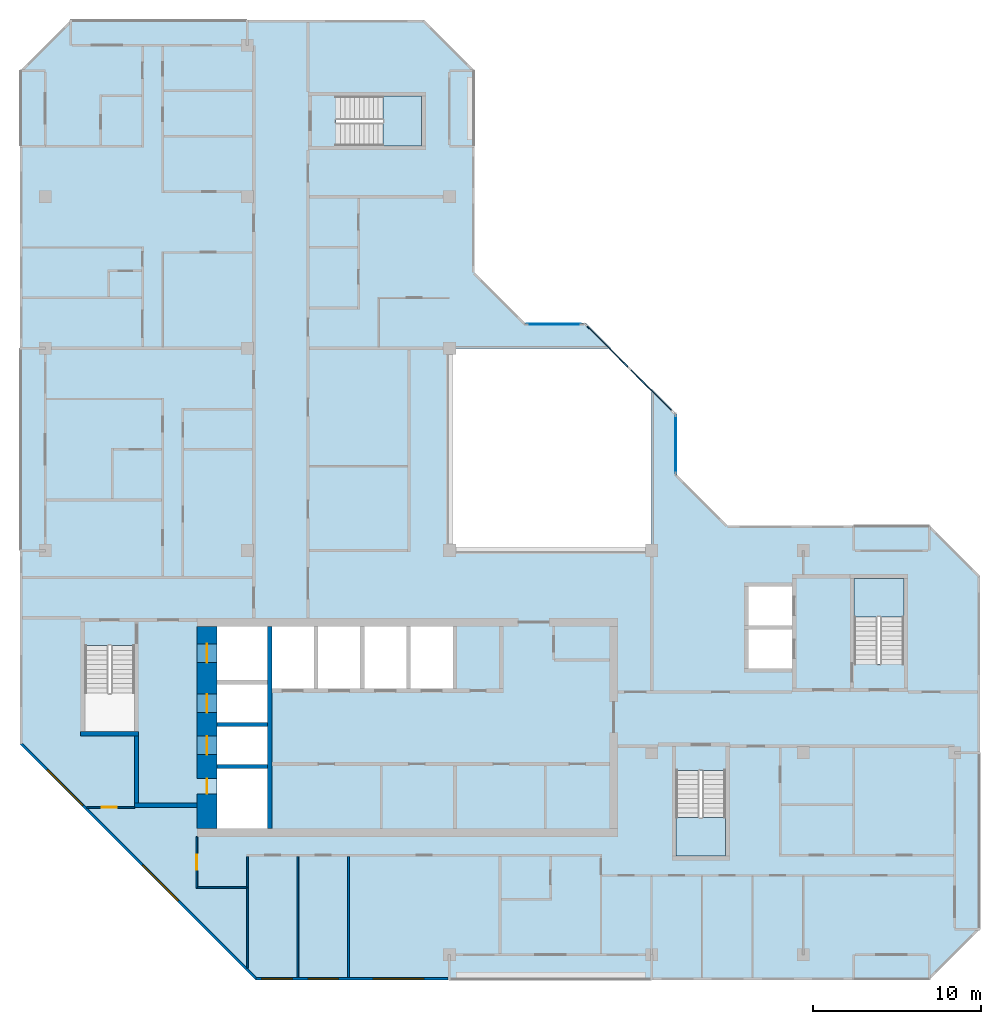
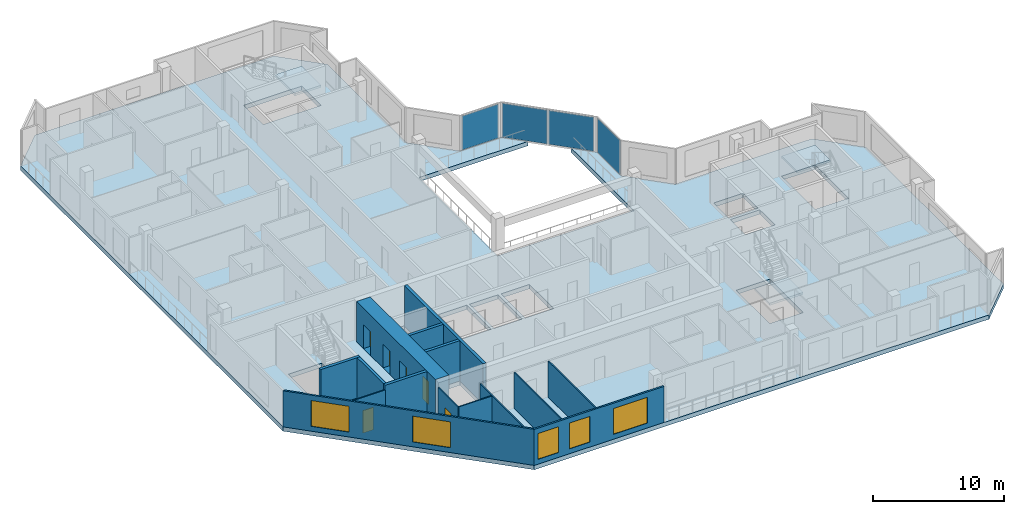
# One storey, part 3 of 12: 15 walls, 6 doors, 5 windows, 4 plates, 4 slabs, 11 openings, 6 elements without a shape of their own.
"""IFC4 building model written with IfcOpenShell, lengths in metres."""

import ifcopenshell
import ifcopenshell.guid

model = None  # the IFC model being written
_history = None  # IfcOwnerHistory: only IFC2X3 demands one
_inside = {}  # id of a spatial element -> (the spatial element, [elements in it])
_under = {}  # id of a project, library or spatial element -> (it, [spatial elements below it])
_declared = {}  # id of a project -> (the project, [libraries it declares])
_typed = {}  # id of a type object -> (the type object, [elements of that type])
_made_of = {}  # id of a material, layer set ... -> (it, [elements and type objects made of it])


def new_model(schema):
    """Start an empty IFC model of exactly this schema.

    Asked for "IFC4X3", IfcOpenShell would pick the latest addendum, in which some entities
    have other attributes; the version numbers below select the first issue.
    IFC2X3 requires an IfcOwnerHistory on every rooted entity: one is made here for all.
    """
    global model, _history
    if schema == "IFC4X3":
        model = ifcopenshell.file(schema_version=(4, 3, 0, 0))
    else:
        model = ifcopenshell.file(schema=schema)
    _inside.clear()
    _under.clear()
    _declared.clear()
    _typed.clear()
    _made_of.clear()
    _history = None
    if model.schema == "IFC2X3":
        org = make("IfcOrganization", Name="unknown")
        user = make(
            "IfcPersonAndOrganization",
            ThePerson=make("IfcPerson", FamilyName="unknown"),
            TheOrganization=org,
        )
        app = make(
            "IfcApplication",
            ApplicationDeveloper=org,
            Version="unknown",
            ApplicationFullName="unknown",
            ApplicationIdentifier="unknown",
        )
        _history = make(
            "IfcOwnerHistory",
            OwningUser=user,
            OwningApplication=app,
            ChangeAction="ADDED",
            CreationDate=0,
        )
    return model


def make(cls, **values):
    """One entity of the class cls with the attributes given. An attribute that is None is left unset."""
    return model.create_entity(
        cls, **{name: value for name, value in values.items() if value is not None}
    )


def rooted(cls, **values):
    """An entity with a GlobalId (a new one), such as an element, a storey or a relation."""
    return make(cls, GlobalId=ifcopenshell.guid.new(), OwnerHistory=_history, **values)


def si_unit(unit_type, name, prefix=None):
    """IfcSIUnit, for example si_unit("LENGTHUNIT", "METRE", prefix="MILLI")."""
    return make("IfcSIUnit", UnitType=unit_type, Prefix=prefix, Name=name)


def assignment(units):
    """IfcUnitAssignment: the units of a project."""
    return None if units is None else make("IfcUnitAssignment", Units=units)


def point(xyz):
    """IfcCartesianPoint."""
    return None if xyz is None else make("IfcCartesianPoint", Coordinates=xyz)


def direction(xyz):
    """IfcDirection."""
    return None if xyz is None else make("IfcDirection", DirectionRatios=xyz)


def frame(location, z_axis=None, x_axis=None):
    """IfcAxis2Placement3D, a coordinate frame: its origin and axes. An axis left out is left unset."""
    return make(
        "IfcAxis2Placement3D",
        Location=point(location),
        Axis=direction(z_axis),
        RefDirection=direction(x_axis),
    )


def frame_2d(location, x_axis=None):
    """IfcAxis2Placement2D, a coordinate frame in the plane: its origin and x axis."""
    return make(
        "IfcAxis2Placement2D", Location=point(location), RefDirection=direction(x_axis)
    )


def origin():
    """The frame at (0, 0, 0) with its axes left unset."""
    return frame((0.0, 0.0, 0.0))


def origin_2d():
    """The frame at (0, 0) in the plane with its x axis left unset."""
    return frame_2d((0.0, 0.0))


def place(relative_to, where):
    """IfcLocalPlacement: puts the frame where relative to a parent placement (None: the world)."""
    return make(
        "IfcLocalPlacement", PlacementRelTo=relative_to, RelativePlacement=where
    )


def context(
    kind, dimensions, precision=None, world=None, true_north=None, identifier=None
):
    """IfcGeometricRepresentationContext, for example the 3D "Model" context."""
    return make(
        "IfcGeometricRepresentationContext",
        ContextIdentifier=identifier,
        ContextType=kind,
        CoordinateSpaceDimension=dimensions,
        Precision=precision,
        WorldCoordinateSystem=world,
        TrueNorth=true_north,
    )


def subcontext(parent, identifier, kind, view, scale=None):
    """IfcGeometricRepresentationSubContext, for example "Body" below "Model"."""
    return make(
        "IfcGeometricRepresentationSubContext",
        ContextIdentifier=identifier,
        ContextType=kind,
        ParentContext=parent,
        TargetScale=scale,
        TargetView=view,
    )


def project(units=None, contexts=None):
    """IfcProject with its units and contexts."""
    return rooted(
        "IfcProject",
        Name="project",
        RepresentationContexts=contexts,
        UnitsInContext=assignment(units),
    )


def spatial(cls, under=None, at=None, **own):
    """A site, building, storey or space (cls), placed at a placement, below another one or the project."""
    s = rooted(cls, ObjectPlacement=at, **own)
    if under is not None:
        _under.setdefault(under.id(), (under, []))[1].append(s)
    return s


def polyline(points):
    """IfcPolyline through the points."""
    return make("IfcPolyline", Points=[point(p) for p in points])


def profile(cls, at=None, kind="AREA", **sizes):
    """A parametric profile (cls). Its sizes go by their IFC names, for example OverallWidth=200.0."""
    return make(cls, ProfileType=kind, Position=at, **sizes)


def rectangle(**sizes):
    """IfcRectangleProfileDef."""
    return profile("IfcRectangleProfileDef", **sizes)


def outline(outer, holes=None, kind="AREA"):
    """IfcArbitraryClosedProfileDef: a profile drawn as a closed curve; with holes, ...WithVoids."""
    if holes is None:
        return make("IfcArbitraryClosedProfileDef", ProfileType=kind, OuterCurve=outer)
    return make(
        "IfcArbitraryProfileDefWithVoids",
        ProfileType=kind,
        OuterCurve=outer,
        InnerCurves=holes,
    )


def extrude(swept, where, along, depth):
    """IfcExtrudedAreaSolid: the profile swept, set in the frame where, extruded along a direction by depth."""
    return make(
        "IfcExtrudedAreaSolid",
        SweptArea=swept,
        Position=where,
        ExtrudedDirection=direction(along),
        Depth=depth,
    )


def shape(context_of_items, identifier, shape_type, items):
    """IfcShapeRepresentation: the items that make up one representation, for example the "Body"."""
    return make(
        "IfcShapeRepresentation",
        ContextOfItems=context_of_items,
        RepresentationIdentifier=identifier,
        RepresentationType=shape_type,
        Items=items,
    )


def material(Name=None, Category=None):
    """IfcMaterial."""
    return make("IfcMaterial", Name=Name, Category=Category)


def layer(
    of_material, thickness, ventilated=None, Name=None, Category=None, Priority=None
):
    """IfcMaterialLayer: one layer of a wall or slab, of a material (None: an air gap)."""
    return make(
        "IfcMaterialLayer",
        Material=of_material,
        LayerThickness=thickness,
        IsVentilated=ventilated,
        Name=Name,
        Category=Category,
        Priority=Priority,
    )


def layer_set(layers, Name=None):
    """IfcMaterialLayerSet."""
    return make("IfcMaterialLayerSet", MaterialLayers=layers, LayerSetName=Name)


def made_of(thing, what):
    """Note that an element or type object is made of a material, layer set ...; save() writes the relation."""
    if what is not None:
        _made_of.setdefault(what.id(), (what, []))[1].append(thing)
    return thing


def type_object(cls, material=None, **own):
    """A type object (cls), such as IfcWallType, which elements share."""
    return made_of(rooted(cls, **own), material)


def element(
    cls,
    number,
    at=None,
    inside=None,
    cuts=None,
    type_object=None,
    material=None,
    context=None,
    identifier="Body",
    shape_type=None,
    held_by="IfcProductDefinitionShape",
    body=None,
    shapes=None,
    **own,
):
    """One element of the class cls, such as IfcWall. Its Tag is "e" and its number.

    at: its placement. inside: the storey or other place that contains it. cuts: it is an
    opening in that element (IfcRelVoidsElement). A single representation is given by context,
    identifier, shape_type and body (its items); several are given by shapes. held_by: the class
    of the entity that holds the representations. save() writes the other relations.
    """
    e = rooted(cls, Tag="e%d" % number, ObjectPlacement=at, **own)
    if body is not None:
        shapes = [shape(context, identifier, shape_type, body)]
    if shapes is not None:
        e.Representation = make(held_by, Representations=shapes)
    if inside is not None:
        _inside.setdefault(inside.id(), (inside, []))[1].append(e)
    if cuts is not None:
        rooted(
            "IfcRelVoidsElement", RelatingBuildingElement=cuts, RelatedOpeningElement=e
        )
    if type_object is not None:
        _typed.setdefault(type_object.id(), (type_object, []))[1].append(e)
    return made_of(e, material)


def fill(opening, filler):
    """IfcRelFillsElement: the door or window that sits in an opening."""
    return rooted(
        "IfcRelFillsElement",
        RelatingOpeningElement=opening,
        RelatedBuildingElement=filler,
    )


def aggregate(whole, parts):
    """IfcRelAggregates: a whole, such as a stair, and the parts it consists of."""
    return rooted("IfcRelAggregates", RelatingObject=whole, RelatedObjects=parts)


def save(model, path):
    """Write the relations noted so far, then the file.

    IfcRelAggregates (storeys below a building ...), IfcRelContainedInSpatialStructure (elements
    in a storey), IfcRelDefinesByType, IfcRelAssociatesMaterial and IfcRelDeclares: one each for
    every whole, place, type object, material and project.
    """
    for whole, parts in _under.values():
        aggregate(whole, parts)
    for where, things in _inside.values():
        rooted(
            "IfcRelContainedInSpatialStructure",
            RelatedElements=things,
            RelatingStructure=where,
        )
    for kind, things in _typed.values():
        rooted("IfcRelDefinesByType", RelatedObjects=things, RelatingType=kind)
    for what, things in _made_of.values():
        rooted("IfcRelAssociatesMaterial", RelatedObjects=things, RelatingMaterial=what)
    for by, libraries in _declared.values():
        rooted("IfcRelDeclares", RelatingContext=by, RelatedDefinitions=libraries)
    model.write(path)


model = new_model("IFC4")

# Units and contexts
model_context = context("Model", 3, precision=1e-05, world=origin(), true_north=direction((0.0, 1.0)))
body_context = subcontext(model_context, "Body", "Model", "MODEL_VIEW")
ifc_project = project(units=[si_unit("LENGTHUNIT", "METRE"), si_unit("AREAUNIT", "SQUARE_METRE"), si_unit("VOLUMEUNIT", "CUBIC_METRE"), si_unit("PLANEANGLEUNIT", "RADIAN"), si_unit("MASSUNIT", "GRAM", prefix="KILO")], contexts=[model_context])

# Site, building, storey
site_placement = place(None, origin())
site = spatial("IfcSite", under=ifc_project, at=site_placement, CompositionType="ELEMENT")
building_placement = place(site_placement, origin())
building = spatial("IfcBuilding", under=site, at=building_placement, Name="Chenar Terraces", CompositionType="ELEMENT")
storey_placement = place(building_placement, frame((0.0, 0.0, 357.64990234375)))
storey = spatial("IfcBuildingStorey", under=building, at=storey_placement, Name="L83", CompositionType="ELEMENT", Elevation=357.64990234375)

# Curtain wall, plate
ifc_material_1 = material(Name="Aluminium framed glazing", Category="aluminium")
ifc_layer_1 = layer(ifc_material_1, 0.14990234375)
ifc_layer_set_1 = layer_set([ifc_layer_1], Name="Aluminium framed glazing")
curtain_wall_type = type_object("IfcCurtainWallType", Name="Atrium upper-zone curtain wall", PredefinedType="NOTDEFINED", material=ifc_layer_set_1)
placement_1 = place(storey_placement, origin())
curtain_wall_1 = element("IfcCurtainWall", 1, at=placement_1, inside=storey, type_object=curtain_wall_type, Name="Atrium upper-zone curtain wall", PredefinedType="NOTDEFINED")
ifc_material_2 = material(Name="Low emissivity laminated glass, solar control coating", Category="glass")
ifc_layer_2 = layer(ifc_material_2, 0.050048828125)
ifc_layer_set_2 = layer_set([ifc_layer_2], Name="Low emissivity laminated glass, solar control coating")
plate_type = type_object("IfcPlateType", Name="Atrium upper-zone glazing panel 50", PredefinedType="CURTAIN_PANEL", material=ifc_layer_set_2)
plate_1_placement = place(storey_placement, frame((37.425048828125, 30.300048828125, 0.10009765625), z_axis=(0.0, 0.0, 1.0), x_axis=(0.0, 1.0, 0.0)))
plate_1 = element("IfcPlate", 2, at=plate_1_placement, type_object=plate_type, Name="CW8-1 panel 1.1", PredefinedType="CURTAIN_PANEL", context=body_context, shape_type="SweptSolid", body=[
    extrude(rectangle(XDim=3.39990234375, YDim=0.050048828125, at=origin_2d()), origin(), (0.0, 0.0, 1.0), 3.14990234375),
])
aggregate(curtain_wall_1, [plate_1])

# Curtain wall, plates
curtain_wall_2 = element("IfcCurtainWall", 3, at=placement_1, inside=storey, type_object=curtain_wall_type, Name="Atrium upper-zone curtain wall", PredefinedType="NOTDEFINED")
plate_2_placement = place(storey_placement, frame((35.97314453125, 33.520751953125, 0.10009765625), z_axis=(0.0, 0.0, 1.0), x_axis=(-0.707106781187, 0.707106781187, 0.0)))
plate_2 = element("IfcPlate", 4, at=plate_2_placement, type_object=plate_type, Name="CW8-2 panel 1.1", PredefinedType="CURTAIN_PANEL", context=body_context, shape_type="SweptSolid", body=[
    extrude(rectangle(XDim=3.568359375, YDim=0.050048828125, at=origin_2d()), origin(), (0.0, 0.0, 1.0), 3.14990234375),
])
plate_3_placement = place(storey_placement, frame((33.379150390625, 36.11474609375, 0.10009765625), z_axis=(0.0, 0.0, 1.0), x_axis=(-0.707106781187, 0.707106781187, 0.0)))
plate_3 = element("IfcPlate", 5, at=plate_3_placement, type_object=plate_type, Name="CW8-2 panel 2.1", PredefinedType="CURTAIN_PANEL", context=body_context, shape_type="SweptSolid", body=[
    extrude(rectangle(XDim=3.568359375, YDim=0.050048828125, at=origin_2d()), origin(), (0.0, 0.0, 1.0), 3.14990234375),
])
aggregate(curtain_wall_2, [plate_2, plate_3])

# Curtain wall, plate
curtain_wall_3 = element("IfcCurtainWall", 6, at=placement_1, inside=storey, type_object=curtain_wall_type, Name="Atrium upper-zone curtain wall", PredefinedType="NOTDEFINED")
plate_4_placement = place(storey_placement, frame((30.199951171875, 37.425048828125, 0.10009765625), z_axis=(0.0, 0.0, 1.0), x_axis=(-1.0, 0.0, 0.0)))
plate_4 = element("IfcPlate", 7, at=plate_4_placement, type_object=plate_type, Name="CW8-3 panel 1.1", PredefinedType="CURTAIN_PANEL", context=body_context, shape_type="SweptSolid", body=[
    extrude(rectangle(XDim=3.199951171875, YDim=0.050048828125, at=origin_2d()), origin(), (0.0, 0.0, 1.0), 3.14990234375),
])
aggregate(curtain_wall_3, [plate_4])

# Stair, slab
ifc_material_3 = material(Name="Reinforced concrete C40/50", Category="concrete")
stair_type = type_object("IfcStairType", Name="Core stair 1400 half-turn", PredefinedType="HALF_TURN_STAIR", material=ifc_material_3)
stair_1 = element("IfcStair", 8, at=placement_1, inside=storey, type_object=stair_type, Name="L83 Stair 2", PredefinedType="HALF_TURN_STAIR")
ifc_material_4 = material(Name="Reinforced concrete C40/50", Category="concrete")
ifc_layer_3 = layer(ifc_material_4, 0.199951171875)
ifc_layer_set_3 = layer_set([ifc_layer_3], Name="Reinforced concrete C40/50")
slab_type_1 = type_object("IfcSlabType", Name="Core stair landing 200", PredefinedType="LANDING", material=ifc_layer_set_3)
placement_2 = place(storey_placement, frame((0.0, 0.0, 1.675048828125)))
slab_1 = element("IfcSlab", 9, at=placement_2, type_object=slab_type_1, Name="ST2 landing 1", PredefinedType="LANDING", context=body_context, shape_type="SweptSolid", body=[
    extrude(outline(polyline([(37.449951171875, 8.14990234375), (37.449951171875, 5.85009765625), (40.39990234375, 5.85009765625), (40.39990234375, 8.14990234375), (37.449951171875, 8.14990234375)])), origin(), (0.0, 0.0, 1.0), 0.199951171875),
])
aggregate(stair_1, [slab_1])

stair_2 = element("IfcStair", 10, at=placement_1, inside=storey, type_object=stair_type, Name="L83 Stair 3", PredefinedType="HALF_TURN_STAIR")
slab_2 = element("IfcSlab", 11, at=placement_2, type_object=slab_type_1, Name="ST3 landing 1", PredefinedType="LANDING", context=body_context, shape_type="SweptSolid", body=[
    extrude(outline(polyline([(50.97509765625, 20.050048828125), (50.97509765625, 22.35009765625), (48.02490234375, 22.35009765625), (48.02490234375, 20.050048828125), (50.97509765625, 20.050048828125)])), origin(), (0.0, 0.0, 1.0), 0.199951171875),
])
aggregate(stair_2, [slab_2])

stair_3 = element("IfcStair", 12, at=placement_1, inside=storey, type_object=stair_type, Name="L83 Stair 4", PredefinedType="HALF_TURN_STAIR")
slab_3 = element("IfcSlab", 13, at=placement_2, type_object=slab_type_1, Name="ST4 landing 1", PredefinedType="LANDING", context=body_context, shape_type="SweptSolid", body=[
    extrude(outline(polyline([(20.050048828125, 48.02490234375), (22.35009765625, 48.02490234375), (22.35009765625, 50.97509765625), (20.050048828125, 50.97509765625), (20.050048828125, 48.02490234375)])), origin(), (0.0, 0.0, 1.0), 0.199951171875),
])
aggregate(stair_3, [slab_3])

# Slab
ifc_material_5 = material(Name="Concrete C40/50", Category="concrete")
ifc_layer_4 = layer(ifc_material_5, 0.39990234375)
ifc_layer_set_4 = layer_set([ifc_layer_4], Name="Concrete C40/50")
slab_type_2 = type_object("IfcSlabType", Name="Floor slab 400 Concrete C40/50", PredefinedType="FLOOR", material=ifc_layer_set_4)
slab_4_placement = place(storey_placement, frame((0.0, 0.0, -0.39990234375)))
element("IfcSlab", 14, at=slab_4_placement, inside=storey, type_object=slab_type_2, Name="Floor slab L83", PredefinedType="FLOOR", context=body_context, shape_type="SweptSolid", body=[
    extrude(outline(polyline([(55.5, 22.5), (55.5, 1.5), (52.5, -1.5), (12.5, -1.5), (-1.5, 12.5), (-1.5, 52.5), (1.5, 55.5), (22.5, 55.5), (25.5, 52.5), (25.5, 40.5), (28.5, 37.5), (32.10009765625, 37.5), (33.60009765625, 36.0), (24.0, 36.0), (24.0, 24.0), (36.0, 24.0), (36.0, 33.60009765625), (37.5, 32.10009765625), (37.5, 28.5), (40.5, 25.5), (52.5, 25.5), (55.5, 22.5)]), holes=[polyline([(10.199951171875, 11.050048828125), (10.199951171875, 7.5), (13.199951171875, 7.5), (13.199951171875, 11.050048828125), (10.199951171875, 11.050048828125)]), polyline([(13.199951171875, 13.550048828125), (10.199951171875, 13.550048828125), (10.199951171875, 11.300048828125), (13.199951171875, 11.300048828125), (13.199951171875, 13.550048828125)]), polyline([(13.199951171875, 16.050048828125), (10.199951171875, 16.050048828125), (10.199951171875, 13.800048828125), (13.199951171875, 13.800048828125), (13.199951171875, 16.050048828125)]), polyline([(2.35009765625, 13.25), (5.300048828125, 13.25), (5.300048828125, 18.35009765625), (2.35009765625, 18.35009765625), (2.35009765625, 13.25)]), polyline([(15.949951171875, 19.5), (13.449951171875, 19.5), (13.449951171875, 15.800048828125), (15.949951171875, 15.800048828125), (15.949951171875, 19.5)]), polyline([(18.699951171875, 19.5), (16.199951171875, 19.5), (16.199951171875, 15.800048828125), (18.699951171875, 15.800048828125), (18.699951171875, 19.5)]), polyline([(13.199951171875, 19.5), (10.199951171875, 19.5), (10.199951171875, 16.300048828125), (13.199951171875, 16.300048828125), (13.199951171875, 19.5)]), polyline([(22.35009765625, 48.02490234375), (22.35009765625, 50.97509765625), (17.25, 50.97509765625), (17.25, 48.02490234375), (22.35009765625, 48.02490234375)]), polyline([(37.449951171875, 5.85009765625), (40.39990234375, 5.85009765625), (40.39990234375, 10.949951171875), (37.449951171875, 10.949951171875), (37.449951171875, 5.85009765625)]), polyline([(21.449951171875, 19.5), (18.949951171875, 19.5), (18.949951171875, 15.800048828125), (21.449951171875, 15.800048828125), (21.449951171875, 19.5)]), polyline([(24.199951171875, 19.5), (21.699951171875, 19.5), (21.699951171875, 15.800048828125), (24.199951171875, 15.800048828125), (24.199951171875, 19.5)]), polyline([(44.35009765625, 19.300048828125), (41.75, 19.300048828125), (41.75, 17.0), (44.35009765625, 17.0), (44.35009765625, 19.300048828125)]), polyline([(50.97509765625, 22.35009765625), (48.02490234375, 22.35009765625), (48.02490234375, 17.25), (50.97509765625, 17.25), (50.97509765625, 22.35009765625)]), polyline([(44.35009765625, 21.85009765625), (41.75, 21.85009765625), (41.75, 19.550048828125), (44.35009765625, 19.550048828125), (44.35009765625, 21.85009765625)])]), origin(), (0.0, 0.0, 1.0), 0.39990234375),
])

# Wall, openings, doors
ifc_material_6 = material(Name="Concrete C50/60", Category="concrete")
ifc_layer_5 = layer(ifc_material_6, 1.199951171875)
ifc_layer_set_5 = layer_set([ifc_layer_5], Name="Concrete C50/60")
wall_type_1 = type_object("IfcWallType", Name="Core wall 1200 Concrete C50/60", PredefinedType="SHEAR", material=ifc_layer_set_5)
wall_1_placement = place(storey_placement, frame((9.60009765625, 7.5, 0.0), z_axis=(0.0, 0.0, 1.0), x_axis=(0.0, 1.0, 0.0)))
wall_1 = element("IfcWall", 15, at=wall_1_placement, inside=storey, type_object=wall_type_1, Name="Core wall W L83", PredefinedType="SHEAR", context=body_context, shape_type="SweptSolid", body=[
    extrude(rectangle(XDim=12.0, YDim=1.199951171875, at=frame_2d((6.0, 0.0))), origin(), (0.0, 0.0, 1.0), 3.75),
])
opening_1_placement = place(wall_1_placement, frame((4.375, 0.0, 0.0)))
opening_1 = element("IfcOpeningElement", 16, at=opening_1_placement, cuts=wall_1, Name="Opening DL83-LD5", PredefinedType="OPENING", context=body_context, shape_type="SweptSolid", body=[
    extrude(rectangle(XDim=1.10009765625, YDim=2.199951171875, at=frame_2d((0.550048828125, 1.10009765625))), frame((0.0, 0.60986328125, 0.0), z_axis=(0.0, -1.0, 0.0), x_axis=(1.0, 0.0, 0.0)), (0.0, 0.0, 1.0), 1.219970703125),
])
opening_2_placement = place(wall_1_placement, frame((6.875, 0.0, 0.0)))
opening_2 = element("IfcOpeningElement", 17, at=opening_2_placement, cuts=wall_1, Name="Opening DL83-LD6", PredefinedType="OPENING", context=body_context, shape_type="SweptSolid", body=[
    extrude(rectangle(XDim=1.10009765625, YDim=2.199951171875, at=frame_2d((0.550048828125, 1.10009765625))), frame((0.0, 0.60986328125, 0.0), z_axis=(0.0, -1.0, 0.0), x_axis=(1.0, 0.0, 0.0)), (0.0, 0.0, 1.0), 1.219970703125),
])
opening_3_placement = place(wall_1_placement, frame((9.85009765625, 0.0, 0.0)))
opening_3 = element("IfcOpeningElement", 18, at=opening_3_placement, cuts=wall_1, Name="Opening DL83-LD7", PredefinedType="OPENING", context=body_context, shape_type="SweptSolid", body=[
    extrude(rectangle(XDim=1.10009765625, YDim=2.199951171875, at=frame_2d((0.550048828125, 1.10009765625))), frame((0.0, 0.60986328125, 0.0), z_axis=(0.0, -1.0, 0.0), x_axis=(1.0, 0.0, 0.0)), (0.0, 0.0, 1.0), 1.219970703125),
])
opening_4_placement = place(wall_1_placement, frame((2.050048828125, 0.0, 0.0)))
opening_4 = element("IfcOpeningElement", 19, at=opening_4_placement, cuts=wall_1, Name="Opening DL83-C4", PredefinedType="OPENING", context=body_context, shape_type="SweptSolid", body=[
    extrude(rectangle(XDim=0.89990234375, YDim=2.10009765625, at=frame_2d((0.449951171875, 1.050048828125))), frame((0.0, 0.60986328125, 0.0), z_axis=(0.0, -1.0, 0.0), x_axis=(1.0, 0.0, 0.0)), (0.0, 0.0, 1.0), 1.219970703125),
])
ifc_material_7 = material(Name="Stainless steel", Category="steel")
door_type_1 = type_object("IfcDoorType", Name="Lift landing door 1100 x 2200 sliding", OperationType="DOUBLE_DOOR_SLIDING", PredefinedType="DOOR", material=ifc_material_7)
door_1_placement = place(opening_1_placement, origin())
door_1 = element("IfcDoor", 20, at=door_1_placement, inside=storey, type_object=door_type_1, Name="Landing door S1", OperationType="DOUBLE_DOOR_SLIDING", OverallHeight=2.199951171875, OverallWidth=1.10009765625, PredefinedType="DOOR", context=body_context, shape_type="SweptSolid", body=[
    extrude(rectangle(XDim=1.10009765625, YDim=2.199951171875, at=frame_2d((0.550048828125, 1.10009765625))), frame((0.0, 0.02490234375, 0.0), z_axis=(0.0, -1.0, 0.0), x_axis=(1.0, 0.0, 0.0)), (0.0, 0.0, 1.0), 0.050048828125),
])
fill(opening_1, door_1)
door_2_placement = place(opening_2_placement, origin())
door_2 = element("IfcDoor", 21, at=door_2_placement, inside=storey, type_object=door_type_1, Name="Landing door F1", OperationType="DOUBLE_DOOR_SLIDING", OverallHeight=2.199951171875, OverallWidth=1.10009765625, PredefinedType="DOOR", context=body_context, shape_type="SweptSolid", body=[
    extrude(rectangle(XDim=1.10009765625, YDim=2.199951171875, at=frame_2d((0.550048828125, 1.10009765625))), frame((0.0, 0.02490234375, 0.0), z_axis=(0.0, -1.0, 0.0), x_axis=(1.0, 0.0, 0.0)), (0.0, 0.0, 1.0), 0.050048828125),
])
fill(opening_2, door_2)
door_3_placement = place(opening_3_placement, origin())
door_3 = element("IfcDoor", 22, at=door_3_placement, inside=storey, type_object=door_type_1, Name="Landing door F2", OperationType="DOUBLE_DOOR_SLIDING", OverallHeight=2.199951171875, OverallWidth=1.10009765625, PredefinedType="DOOR", context=body_context, shape_type="SweptSolid", body=[
    extrude(rectangle(XDim=1.10009765625, YDim=2.199951171875, at=frame_2d((0.550048828125, 1.10009765625))), frame((0.0, 0.02490234375, 0.0), z_axis=(0.0, -1.0, 0.0), x_axis=(1.0, 0.0, 0.0)), (0.0, 0.0, 1.0), 0.050048828125),
])
fill(opening_3, door_3)
ifc_material_8 = material(Name="Steel-framed fire-resisting door leaf", Category="steel")
door_type_2 = type_object("IfcDoorType", Name="Riser fire door FD60 900 x 2100", OperationType="SINGLE_SWING_LEFT", PredefinedType="DOOR", material=ifc_material_8)
door_4_placement = place(opening_4_placement, frame((0.89990234375, 0.0, 0.0), z_axis=(0.0, 0.0, 1.0), x_axis=(-1.0, 0.0, 0.0)))
door_4 = element("IfcDoor", 23, at=door_4_placement, inside=storey, type_object=door_type_2, Name="Riser door DL83-C4", OperationType="SINGLE_SWING_LEFT", OverallHeight=2.10009765625, OverallWidth=0.89990234375, PredefinedType="DOOR", context=body_context, shape_type="SweptSolid", body=[
    extrude(rectangle(XDim=0.89990234375, YDim=2.10009765625, at=frame_2d((0.449951171875, 1.050048828125))), frame((0.0, 0.02490234375, 0.0), z_axis=(0.0, -1.0, 0.0), x_axis=(1.0, 0.0, 0.0)), (0.0, 0.0, 1.0), 0.050048828125),
])
fill(opening_4, door_4)

# Walls
ifc_material_9 = material(Name="Concrete C50/60", Category="concrete")
ifc_layer_6 = layer(ifc_material_9, 0.25)
ifc_layer_set_6 = layer_set([ifc_layer_6], Name="Concrete C50/60")
wall_type_2 = type_object("IfcWallType", Name="Core wall 250 Concrete C50/60", PredefinedType="SHEAR", material=ifc_layer_set_6)
wall_2_placement = place(storey_placement, frame((13.324951171875, 7.5, 0.0), z_axis=(0.0, 0.0, 1.0), x_axis=(0.0, 1.0, 0.0)))
element("IfcWall", 24, at=wall_2_placement, inside=storey, type_object=wall_type_2, Name="Core wall WI L83", PredefinedType="SHEAR", context=body_context, shape_type="SweptSolid", body=[
    extrude(rectangle(XDim=12.0, YDim=0.25, at=frame_2d((6.0, 0.0))), origin(), (0.0, 0.0, 1.0), 3.75),
])
for number, where, z_axis, x_axis, name in (
    (25, (10.199951171875, 11.175048828125, 0.0), (0.0, 0.0, 1.0), (1.0, 0.0, 0.0), "Core wall HW0 L83"),
    (26, (10.199951171875, 13.675048828125, 0.0), (0.0, 0.0, 1.0), (1.0, 0.0, 0.0), "Core wall HW1 L83"),
):
    element("IfcWall", number, at=place(storey_placement, frame(where, z_axis=z_axis, x_axis=x_axis)), inside=storey, type_object=wall_type_2, Name=name, PredefinedType="SHEAR", context=body_context, shape_type="SweptSolid", body=[
        extrude(rectangle(XDim=3.0, YDim=0.25, at=frame_2d((1.5, 0.0))), origin(), (0.0, 0.0, 1.0), 3.75),
    ])
wall_3_placement = place(storey_placement, frame((2.10009765625, 13.125, 0.0), z_axis=(0.0, 0.0, 1.0), x_axis=(1.0, 0.0, 0.0)))
element("IfcWall", 27, at=wall_3_placement, inside=storey, type_object=wall_type_2, Name="Core wall ST1_S L83", PredefinedType="SHEAR", context=body_context, shape_type="SweptSolid", body=[
    extrude(rectangle(XDim=3.449951171875, YDim=0.25, at=frame_2d((1.72509765625, 0.0))), origin(), (0.0, 0.0, 1.0), 3.75),
])
wall_4_placement = place(storey_placement, frame((5.300048828125, 8.875, 0.0), z_axis=(0.0, 0.0, 1.0), x_axis=(1.0, 0.0, 0.0)))
element("IfcWall", 28, at=wall_4_placement, inside=storey, type_object=wall_type_2, Name="Core wall FFL_S L83", PredefinedType="SHEAR", context=body_context, shape_type="SweptSolid", body=[
    extrude(rectangle(XDim=3.699951171875, YDim=0.25, at=frame_2d((1.85009765625, 0.0))), origin(), (0.0, 0.0, 1.0), 3.75),
])
wall_5_placement = place(storey_placement, frame((5.425048828125, 9.0, 0.0), z_axis=(0.0, 0.0, 1.0), x_axis=(0.0, 1.0, 0.0)))
element("IfcWall", 29, at=wall_5_placement, inside=storey, type_object=wall_type_2, Name="Core wall FFL_W L83", PredefinedType="SHEAR", context=body_context, shape_type="SweptSolid", body=[
    extrude(rectangle(XDim=4.0, YDim=0.25, at=frame_2d((2.0, 0.0))), origin(), (0.0, 0.0, 1.0), 3.75),
])

# Wall, openings, windows
ifc_material_10 = material(Name="Aluminium framed glazing", Category="aluminium")
ifc_layer_7 = layer(ifc_material_10, 0.14990234375)
ifc_layer_set_7 = layer_set([ifc_layer_7], Name="Aluminium framed glazing")
wall_type_3 = type_object("IfcWallType", Name="Glazed flush facade wall 150", PredefinedType="SOLIDWALL", material=ifc_layer_set_7)
wall_6_placement = place(storey_placement, frame((12.5, -1.425048828125, 0.0), z_axis=(0.0, 0.0, 1.0), x_axis=(1.0, 0.0, 0.0)))
wall_6 = element("IfcWall", 30, at=wall_6_placement, inside=storey, type_object=wall_type_3, Name="Glazed flush facade wall", PredefinedType="SOLIDWALL", context=body_context, shape_type="SweptSolid", body=[
    extrude(rectangle(XDim=11.425048828125, YDim=0.14990234375, at=frame_2d((5.71240234375, 0.0))), origin(), (0.0, 0.0, 1.0), 3.35009765625),
])
opening_5_placement = place(wall_6_placement, frame((0.35009765625, 0.0, 0.449951171875)))
opening_5 = element("IfcOpeningElement", 31, at=opening_5_placement, cuts=wall_6, Name="Opening W180x240", PredefinedType="OPENING", context=body_context, shape_type="SweptSolid", body=[
    extrude(rectangle(XDim=1.800048828125, YDim=2.39990234375, at=frame_2d((0.89990234375, 1.199951171875))), frame((0.0, 0.0849609375, 0.0), z_axis=(0.0, -1.0, 0.0), x_axis=(1.0, 0.0, 0.0)), (0.0, 0.0, 1.0), 0.169921875),
])
opening_6_placement = place(wall_6_placement, frame((3.10009765625, 0.0, 0.449951171875)))
opening_6 = element("IfcOpeningElement", 32, at=opening_6_placement, cuts=wall_6, Name="Opening W180x240", PredefinedType="OPENING", context=body_context, shape_type="SweptSolid", body=[
    extrude(rectangle(XDim=1.800048828125, YDim=2.39990234375, at=frame_2d((0.89990234375, 1.199951171875))), frame((0.0, 0.0849609375, 0.0), z_axis=(0.0, -1.0, 0.0), x_axis=(1.0, 0.0, 0.0)), (0.0, 0.0, 1.0), 0.169921875),
])
opening_7_placement = place(wall_6_placement, frame((6.96240234375, 0.0, 0.449951171875)))
opening_7 = element("IfcOpeningElement", 33, at=opening_7_placement, cuts=wall_6, Name="Opening W300x240", PredefinedType="OPENING", context=body_context, shape_type="SweptSolid", body=[
    extrude(rectangle(XDim=3.0, YDim=2.39990234375, at=frame_2d((1.5, 1.199951171875))), frame((0.0, 0.0849609375, 0.0), z_axis=(0.0, -1.0, 0.0), x_axis=(1.0, 0.0, 0.0)), (0.0, 0.0, 1.0), 0.169921875),
])
ifc_material_11 = material(Name="Low emissivity double glazing, aluminium frame", Category="aluminium")
window_type_1 = type_object("IfcWindowType", Name="Fixed light 1800 x 2400", PartitioningType="SINGLE_PANEL", PredefinedType="WINDOW", material=ifc_material_11)
window_1_placement = place(opening_5_placement, origin())
window_1 = element("IfcWindow", 34, at=window_1_placement, inside=storey, type_object=window_type_1, Name="Window", OverallHeight=2.39990234375, OverallWidth=1.800048828125, PartitioningType="SINGLE_PANEL", PredefinedType="WINDOW", context=body_context, shape_type="SweptSolid", body=[
    extrude(rectangle(XDim=1.800048828125, YDim=2.39990234375, at=frame_2d((0.89990234375, 1.199951171875))), frame((0.0, 0.030029296875, 0.0), z_axis=(0.0, -1.0, 0.0), x_axis=(1.0, 0.0, 0.0)), (0.0, 0.0, 1.0), 0.06005859375),
])
fill(opening_5, window_1)
window_2_placement = place(opening_6_placement, origin())
window_2 = element("IfcWindow", 35, at=window_2_placement, inside=storey, type_object=window_type_1, Name="Window", OverallHeight=2.39990234375, OverallWidth=1.800048828125, PartitioningType="SINGLE_PANEL", PredefinedType="WINDOW", context=body_context, shape_type="SweptSolid", body=[
    extrude(rectangle(XDim=1.800048828125, YDim=2.39990234375, at=frame_2d((0.89990234375, 1.199951171875))), frame((0.0, 0.030029296875, 0.0), z_axis=(0.0, -1.0, 0.0), x_axis=(1.0, 0.0, 0.0)), (0.0, 0.0, 1.0), 0.06005859375),
])
fill(opening_6, window_2)
ifc_material_12 = material(Name="Low emissivity double glazing, aluminium frame", Category="aluminium")
window_type_2 = type_object("IfcWindowType", Name="Fixed light 3000 x 2400", PartitioningType="SINGLE_PANEL", PredefinedType="WINDOW", material=ifc_material_12)
window_3_placement = place(opening_7_placement, origin())
window_3 = element("IfcWindow", 36, at=window_3_placement, inside=storey, type_object=window_type_2, Name="Window", OverallHeight=2.39990234375, OverallWidth=3.0, PartitioningType="SINGLE_PANEL", PredefinedType="WINDOW", context=body_context, shape_type="SweptSolid", body=[
    extrude(rectangle(XDim=3.0, YDim=2.39990234375, at=frame_2d((1.5, 1.199951171875))), frame((0.0, 0.030029296875, 0.0), z_axis=(0.0, -1.0, 0.0), x_axis=(1.0, 0.0, 0.0)), (0.0, 0.0, 1.0), 0.06005859375),
])
fill(opening_7, window_3)

# Wall, opening, door
ifc_material_13 = material(Name="Gypsum board on steel studs", Category="steel")
ifc_layer_8 = layer(ifc_material_13, 0.10009765625)
ifc_layer_set_8 = layer_set([ifc_layer_8], Name="Gypsum board on steel studs")
wall_type_4 = type_object("IfcWallType", Name="Gypsum partition 100", PredefinedType="PARTITIONING", material=ifc_layer_set_8)
wall_7_placement = place(storey_placement, frame((2.4609375, 8.75, 0.0), z_axis=(0.0, 0.0, 1.0), x_axis=(1.0, 0.0, 0.0)))
wall_7 = element("IfcWall", 37, at=wall_7_placement, inside=storey, type_object=wall_type_4, Name="Partition L83-009", PredefinedType="PARTITIONING", context=body_context, shape_type="SweptSolid", body=[
    extrude(rectangle(XDim=2.839111328125, YDim=0.10009765625, at=frame_2d((1.41943359375, 0.0))), origin(), (0.0, 0.0, 1.0), 3.35009765625),
])
opening_8_placement = place(wall_7_placement, frame((0.888916015625, 0.0, 0.0)))
opening_8 = element("IfcOpeningElement", 38, at=opening_8_placement, cuts=wall_7, Name="Opening DL83-31", PredefinedType="OPENING", context=body_context, shape_type="SweptSolid", body=[
    extrude(rectangle(XDim=0.89990234375, YDim=2.10009765625, at=frame_2d((0.449951171875, 1.050048828125))), frame((0.0, 0.06005859375, 0.0), z_axis=(0.0, -1.0, 0.0), x_axis=(1.0, 0.0, 0.0)), (0.0, 0.0, 1.0), 0.1201171875),
])
ifc_material_14 = material(Name="Veneered timber door leaf", Category="wood")
door_type_3 = type_object("IfcDoorType", Name="Door 900 x 2100", OperationType="SINGLE_SWING_LEFT", PredefinedType="DOOR", material=ifc_material_14)
door_5_placement = place(opening_8_placement, frame((0.89990234375, 0.0, 0.0), z_axis=(0.0, 0.0, 1.0), x_axis=(-1.0, 0.0, 0.0)))
door_5 = element("IfcDoor", 39, at=door_5_placement, inside=storey, type_object=door_type_3, Name="Door DL83-31", OperationType="SINGLE_SWING_RIGHT", OverallHeight=2.10009765625, OverallWidth=0.89990234375, PredefinedType="DOOR", context=body_context, shape_type="SweptSolid", body=[
    extrude(rectangle(XDim=0.89990234375, YDim=2.10009765625, at=frame_2d((0.449951171875, 1.050048828125))), frame((0.0, 0.02490234375, 0.0), z_axis=(0.0, -1.0, 0.0), x_axis=(1.0, 0.0, 0.0)), (0.0, 0.0, 1.0), 0.050048828125),
])
fill(opening_8, door_5)

wall_8_placement = place(storey_placement, frame((9.0, 3.949951171875, 0.0), z_axis=(0.0, 0.0, 1.0), x_axis=(0.0, 1.0, 0.0)))
wall_8 = element("IfcWall", 40, at=wall_8_placement, inside=storey, type_object=wall_type_4, Name="Partition L83-028", PredefinedType="PARTITIONING", context=body_context, shape_type="SweptSolid", body=[
    extrude(rectangle(XDim=3.050048828125, YDim=0.10009765625, at=frame_2d((1.52490234375, 0.0))), origin(), (0.0, 0.0, 1.0), 3.35009765625),
])
opening_9_placement = place(wall_8_placement, frame((1.10009765625, 0.0, 0.0)))
opening_9 = element("IfcOpeningElement", 41, at=opening_9_placement, cuts=wall_8, Name="Opening DL83-30", PredefinedType="OPENING", context=body_context, shape_type="SweptSolid", body=[
    extrude(rectangle(XDim=0.89990234375, YDim=2.10009765625, at=frame_2d((0.449951171875, 1.050048828125))), frame((0.0, 0.06005859375, 0.0), z_axis=(0.0, -1.0, 0.0), x_axis=(1.0, 0.0, 0.0)), (0.0, 0.0, 1.0), 0.1201171875),
])
door_6_placement = place(opening_9_placement, origin())
door_6 = element("IfcDoor", 42, at=door_6_placement, inside=storey, type_object=door_type_3, Name="Door DL83-30", OperationType="SINGLE_SWING_LEFT", OverallHeight=2.10009765625, OverallWidth=0.89990234375, PredefinedType="DOOR", context=body_context, shape_type="SweptSolid", body=[
    extrude(rectangle(XDim=0.89990234375, YDim=2.10009765625, at=frame_2d((0.449951171875, 1.050048828125))), frame((0.0, 0.02490234375, 0.0), z_axis=(0.0, -1.0, 0.0), x_axis=(1.0, 0.0, 0.0)), (0.0, 0.0, 1.0), 0.050048828125),
])
fill(opening_9, door_6)

# Walls
wall_9_placement = place(storey_placement, frame((9.050048828125, 4.0, 0.0), z_axis=(0.0, 0.0, 1.0), x_axis=(1.0, 0.0, 0.0)))
element("IfcWall", 43, at=wall_9_placement, inside=storey, type_object=wall_type_4, Name="Partition L83-029", PredefinedType="PARTITIONING", context=body_context, shape_type="SweptSolid", body=[
    extrude(rectangle(XDim=2.89990234375, YDim=0.10009765625, at=frame_2d((1.449951171875, 0.0))), origin(), (0.0, 0.0, 1.0), 3.35009765625),
])
wall_10_placement = place(storey_placement, frame((12.0, -0.787841796875, 0.0), z_axis=(0.0, 0.0, 1.0), x_axis=(0.0, 1.0, 0.0)))
element("IfcWall", 44, at=wall_10_placement, inside=storey, type_object=wall_type_4, Name="Partition L83-031", PredefinedType="PARTITIONING", context=body_context, shape_type="SweptSolid", body=[
    extrude(rectangle(XDim=6.61279296875, YDim=0.10009765625, at=frame_2d((3.306396484375, 0.0))), origin(), (0.0, 0.0, 1.0), 3.35009765625),
])
wall_11_placement = place(storey_placement, frame((15.0, -1.35107421875, 0.0), z_axis=(0.0, 0.0, 1.0), x_axis=(0.0, 1.0, 0.0)))
element("IfcWall", 45, at=wall_11_placement, inside=storey, type_object=wall_type_4, Name="Partition L83-033", PredefinedType="PARTITIONING", context=body_context, shape_type="SweptSolid", body=[
    extrude(rectangle(XDim=7.176025390625, YDim=0.10009765625, at=frame_2d((3.587890625, 0.0))), origin(), (0.0, 0.0, 1.0), 3.35009765625),
])
wall_12_placement = place(storey_placement, frame((18.0, -1.35009765625, 0.0), z_axis=(0.0, 0.0, 1.0), x_axis=(0.0, 1.0, 0.0)))
element("IfcWall", 46, at=wall_12_placement, inside=storey, type_object=wall_type_4, Name="Partition L83-042", PredefinedType="PARTITIONING", context=body_context, shape_type="SweptSolid", body=[
    extrude(rectangle(XDim=7.175048828125, YDim=0.10009765625, at=frame_2d((3.58740234375, 0.0))), origin(), (0.0, 0.0, 1.0), 3.35009765625),
])

# Wall, openings, windows
ifc_material_15 = material(Name="Terracotta cladding on insulated backing", Category="masonry")
ifc_layer_9 = layer(ifc_material_15, 0.14990234375)
ifc_layer_set_9 = layer_set([ifc_layer_9], Name="Terracotta cladding on insulated backing")
wall_type_5 = type_object("IfcWallType", Name="Terracotta rainscreen wall 150", PredefinedType="SOLIDWALL", material=ifc_layer_set_9)
wall_13_placement = place(storey_placement, frame((-1.447021484375, 12.552978515625, 0.0), z_axis=(0.0, 0.0, 1.0), x_axis=(0.707106781187, -0.707106781187, 0.0)))
wall_13 = element("IfcWall", 47, at=wall_13_placement, inside=storey, type_object=wall_type_5, Name="Terracotta rainscreen wall", PredefinedType="SOLIDWALL", context=body_context, shape_type="SweptSolid", body=[
    extrude(rectangle(XDim=19.799072265625, YDim=0.14990234375, at=frame_2d((9.8994140625, 0.0))), origin(), (0.0, 0.0, 1.0), 3.35009765625),
])
opening_10_placement = place(wall_13_placement, frame((2.21240234375, 0.0, 0.449951171875)))
opening_10 = element("IfcOpeningElement", 48, at=opening_10_placement, cuts=wall_13, Name="Opening W300x240", PredefinedType="OPENING", context=body_context, shape_type="SweptSolid", body=[
    extrude(rectangle(XDim=3.0, YDim=2.39990234375, at=frame_2d((1.5, 1.199951171875))), frame((0.0, 0.0849609375, 0.0), z_axis=(0.0, -1.0, 0.0), x_axis=(1.0, 0.0, 0.0)), (0.0, 0.0, 1.0), 0.169921875),
])
opening_11_placement = place(wall_13_placement, frame((10.215576171875, 0.0, 0.449951171875)))
opening_11 = element("IfcOpeningElement", 49, at=opening_11_placement, cuts=wall_13, Name="Opening W300x240", PredefinedType="OPENING", context=body_context, shape_type="SweptSolid", body=[
    extrude(rectangle(XDim=3.0, YDim=2.39990234375, at=frame_2d((1.5, 1.199951171875))), frame((0.0, 0.0849609375, 0.0), z_axis=(0.0, -1.0, 0.0), x_axis=(1.0, 0.0, 0.0)), (0.0, 0.0, 1.0), 0.169921875),
])
window_4_placement = place(opening_10_placement, origin())
window_4 = element("IfcWindow", 50, at=window_4_placement, inside=storey, type_object=window_type_2, Name="Window", OverallHeight=2.39990234375, OverallWidth=3.0, PartitioningType="SINGLE_PANEL", PredefinedType="WINDOW", context=body_context, shape_type="SweptSolid", body=[
    extrude(rectangle(XDim=3.0, YDim=2.39990234375, at=frame_2d((1.5, 1.199951171875))), frame((0.0, 0.030029296875, 0.0), z_axis=(0.0, -1.0, 0.0), x_axis=(1.0, 0.0, 0.0)), (0.0, 0.0, 1.0), 0.06005859375),
])
fill(opening_10, window_4)
window_5_placement = place(opening_11_placement, origin())
window_5 = element("IfcWindow", 51, at=window_5_placement, inside=storey, type_object=window_type_2, Name="Window", OverallHeight=2.39990234375, OverallWidth=3.0, PartitioningType="SINGLE_PANEL", PredefinedType="WINDOW", context=body_context, shape_type="SweptSolid", body=[
    extrude(rectangle(XDim=3.0, YDim=2.39990234375, at=frame_2d((1.5, 1.199951171875))), frame((0.0, 0.030029296875, 0.0), z_axis=(0.0, -1.0, 0.0), x_axis=(1.0, 0.0, 0.0)), (0.0, 0.0, 1.0), 0.06005859375),
])
fill(opening_11, window_5)

save(model, "model.ifc")
